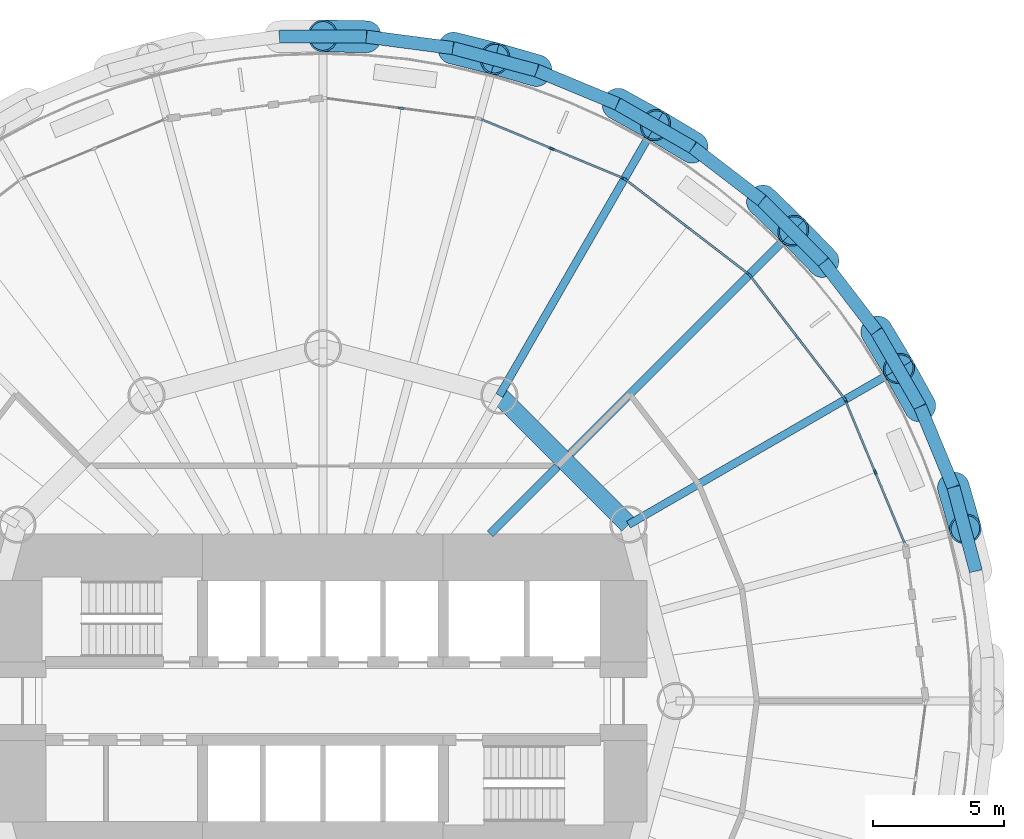
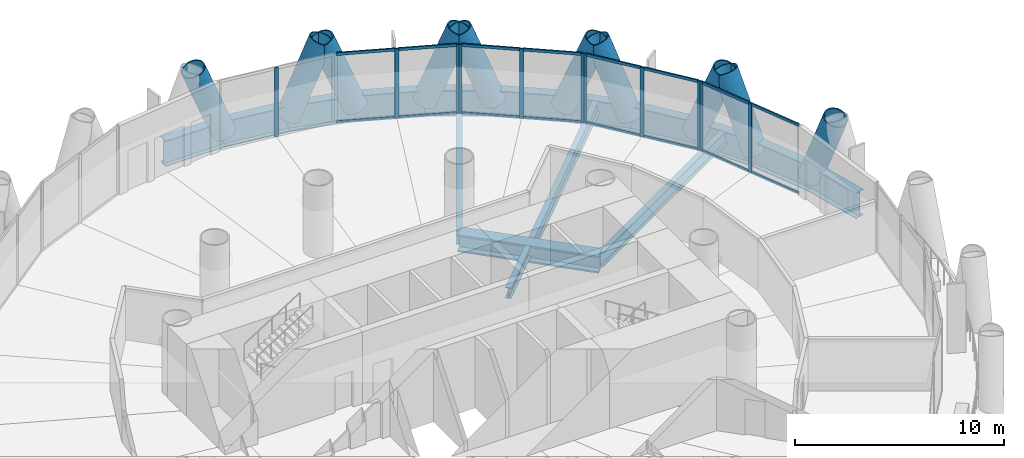
# One storey, part 7 of 16: 37 members, 16 beams, 5 elements without a shape of their own.
"""IFC4 building model written with IfcOpenShell, lengths in metres."""

from ifc_helpers import new_model, si_unit, direction, frame, origin, origin_2d, place, context, subcontext, project, spatial, rectangle, hollow_circle, i_section, extrude, material, material_profile, profile_set, type_object, element, aggregate, save


model = new_model("IFC4")

# Units and contexts
model_context = context("Model", 3, precision=1e-05, world=origin(), true_north=direction((0.0, 1.0)))
body_context = subcontext(model_context, "Body", "Model", "MODEL_VIEW")
ifc_project = project(units=[si_unit("LENGTHUNIT", "METRE"), si_unit("AREAUNIT", "SQUARE_METRE"), si_unit("VOLUMEUNIT", "CUBIC_METRE"), si_unit("PLANEANGLEUNIT", "RADIAN"), si_unit("MASSUNIT", "GRAM", prefix="KILO")], contexts=[model_context])

# Site, building, storey
site_placement = place(None, origin())
site = spatial("IfcSite", under=ifc_project, at=site_placement, CompositionType="ELEMENT")
building_placement = place(site_placement, origin())
building = spatial("IfcBuilding", under=site, at=building_placement, Name="Qaws Media Tower", CompositionType="ELEMENT")
storey_placement = place(building_placement, frame((0.0, 0.0, 89.0)))
storey = spatial("IfcBuildingStorey", under=building, at=storey_placement, Name="L19", CompositionType="ELEMENT", Elevation=89.0)

# Curtain wall, members
ifc_material_1 = material(Name="Aluminium and clear glass", Category="aluminium")
curtain_wall_type = type_object("IfcCurtainWallType", Name="Unitised curtain wall CW-A", PredefinedType="NOTDEFINED", material=ifc_material_1)
curtain_wall_1_placement = place(storey_placement, origin())
curtain_wall_1 = element("IfcCurtainWall", 1, at=curtain_wall_1_placement, inside=storey, type_object=curtain_wall_type, Name="CWA curtain wall L19-02", PredefinedType="NOTDEFINED")
ifc_material_2 = material(Name="Aluminium mullion", Category="aluminium")
ifc_material_profile_1 = material_profile(ifc_material_2, rectangle(XDim=0.080078125, YDim=0.199951171875, at=origin_2d()), Name="80x200")
ifc_profile_set_1 = profile_set([ifc_material_profile_1], Name="Aluminium mullion")
member_type_1 = type_object("IfcMemberType", Name="Curtain wall mullion 80x200", PredefinedType="MULLION", material=ifc_profile_set_1)
member_1_placement = place(storey_placement, frame((81.13623046875, 58.7548828125, 0.0), z_axis=(0.0, 0.0, 1.0), x_axis=(-0.923879558466, -0.382683369704, 0.0)))
member_1 = element("IfcMember", 2, at=member_1_placement, type_object=member_type_1, Name="CWA mullion 2", PredefinedType="MULLION", context=body_context, shape_type="SweptSolid", body=[
    extrude(rectangle(XDim=0.080078125, YDim=0.199951171875, at=origin_2d()), origin(), (0.0, 0.0, 1.0), 4.0400390625),
])
member_2_placement = place(storey_placement, frame((79.998779296875, 61.50048828125, 0.0), z_axis=(0.0, 0.0, 1.0), x_axis=(-0.923879558466, -0.382683369704, 0.0)))
member_2 = element("IfcMember", 3, at=member_2_placement, type_object=member_type_1, Name="CWA mullion 3", PredefinedType="MULLION", context=body_context, shape_type="SweptSolid", body=[
    extrude(rectangle(XDim=0.080078125, YDim=0.199951171875, at=origin_2d()), origin(), (0.0, 0.0, 1.0), 4.0400390625),
])

curtain_wall_2_placement = place(storey_placement, origin())
curtain_wall_2 = element("IfcCurtainWall", 4, at=curtain_wall_2_placement, inside=storey, type_object=curtain_wall_type, Name="CWA curtain wall L19-03", PredefinedType="NOTDEFINED")
member_3_placement = place(storey_placement, frame((79.959228515625, 61.5693359375, 0.0), z_axis=(0.0, 0.0, 1.0), x_axis=(-0.793353359129, -0.608761404459, 0.0)))
member_3 = element("IfcMember", 5, at=member_3_placement, type_object=member_type_1, Name="CWA mullion 1", PredefinedType="MULLION", context=body_context, shape_type="SweptSolid", body=[
    extrude(rectangle(XDim=0.080078125, YDim=0.199951171875, at=origin_2d()), origin(), (0.0, 0.0, 1.0), 4.0400390625),
])
member_4_placement = place(storey_placement, frame((78.14990234375, 63.927001953125, 0.0), z_axis=(0.0, 0.0, 1.0), x_axis=(-0.793353359129, -0.608761404459, 0.0)))
member_4 = element("IfcMember", 6, at=member_4_placement, type_object=member_type_1, Name="CWA mullion 2", PredefinedType="MULLION", context=body_context, shape_type="SweptSolid", body=[
    extrude(rectangle(XDim=0.080078125, YDim=0.199951171875, at=origin_2d()), origin(), (0.0, 0.0, 1.0), 4.0400390625),
])
member_5_placement = place(storey_placement, frame((76.3408203125, 66.28466796875, 0.0), z_axis=(0.0, 0.0, 1.0), x_axis=(-0.793353359129, -0.608761404459, 0.0)))
member_5 = element("IfcMember", 7, at=member_5_placement, type_object=member_type_1, Name="CWA mullion 3", PredefinedType="MULLION", context=body_context, shape_type="SweptSolid", body=[
    extrude(rectangle(XDim=0.080078125, YDim=0.199951171875, at=origin_2d()), origin(), (0.0, 0.0, 1.0), 4.0400390625),
])

curtain_wall_3_placement = place(storey_placement, origin())
curtain_wall_3 = element("IfcCurtainWall", 8, at=curtain_wall_3_placement, inside=storey, type_object=curtain_wall_type, Name="CWA curtain wall L19-04", PredefinedType="NOTDEFINED")
member_6_placement = place(storey_placement, frame((76.28466796875, 66.3408203125, 0.0), z_axis=(0.0, 0.0, 1.0), x_axis=(-0.608761404459, -0.793353359129, 0.0)))
member_6 = element("IfcMember", 9, at=member_6_placement, type_object=member_type_1, Name="CWA mullion 1", PredefinedType="MULLION", context=body_context, shape_type="SweptSolid", body=[
    extrude(rectangle(XDim=0.080078125, YDim=0.199951171875, at=origin_2d()), origin(), (0.0, 0.0, 1.0), 4.0400390625),
])
member_7_placement = place(storey_placement, frame((73.927001953125, 68.14990234375, 0.0), z_axis=(0.0, 0.0, 1.0), x_axis=(-0.608761404459, -0.793353359129, 0.0)))
member_7 = element("IfcMember", 10, at=member_7_placement, type_object=member_type_1, Name="CWA mullion 2", PredefinedType="MULLION", context=body_context, shape_type="SweptSolid", body=[
    extrude(rectangle(XDim=0.080078125, YDim=0.199951171875, at=origin_2d()), origin(), (0.0, 0.0, 1.0), 4.0400390625),
])
member_8_placement = place(storey_placement, frame((71.5693359375, 69.959228515625, 0.0), z_axis=(0.0, 0.0, 1.0), x_axis=(-0.608761404459, -0.793353359129, 0.0)))
member_8 = element("IfcMember", 11, at=member_8_placement, type_object=member_type_1, Name="CWA mullion 3", PredefinedType="MULLION", context=body_context, shape_type="SweptSolid", body=[
    extrude(rectangle(XDim=0.080078125, YDim=0.199951171875, at=origin_2d()), origin(), (0.0, 0.0, 1.0), 4.0400390625),
])

curtain_wall_4_placement = place(storey_placement, origin())
curtain_wall_4 = element("IfcCurtainWall", 12, at=curtain_wall_4_placement, inside=storey, type_object=curtain_wall_type, Name="CWA curtain wall L19-05", PredefinedType="NOTDEFINED")
member_9_placement = place(storey_placement, frame((71.50048828125, 69.998779296875, 0.0), z_axis=(0.0, 0.0, 1.0), x_axis=(-0.382683369704, -0.923879558466, 0.0)))
member_9 = element("IfcMember", 13, at=member_9_placement, type_object=member_type_1, Name="CWA mullion 1", PredefinedType="MULLION", context=body_context, shape_type="SweptSolid", body=[
    extrude(rectangle(XDim=0.080078125, YDim=0.199951171875, at=origin_2d()), origin(), (0.0, 0.0, 1.0), 4.0400390625),
])
member_10_placement = place(storey_placement, frame((68.7548828125, 71.13623046875, 0.0), z_axis=(0.0, 0.0, 1.0), x_axis=(-0.382683369704, -0.923879558466, 0.0)))
member_10 = element("IfcMember", 14, at=member_10_placement, type_object=member_type_1, Name="CWA mullion 2", PredefinedType="MULLION", context=body_context, shape_type="SweptSolid", body=[
    extrude(rectangle(XDim=0.080078125, YDim=0.199951171875, at=origin_2d()), origin(), (0.0, 0.0, 1.0), 4.0400390625),
])

# Curtain wall, member
curtain_wall_5_placement = place(storey_placement, origin())
curtain_wall_5 = element("IfcCurtainWall", 15, at=curtain_wall_5_placement, inside=storey, type_object=curtain_wall_type, Name="CWA curtain wall L19-06", PredefinedType="NOTDEFINED")
member_11_placement = place(storey_placement, frame((62.986083984375, 72.681884765625, 0.0), z_axis=(0.0, 0.0, 1.0), x_axis=(-0.130526274293, -0.991444850569, 0.0)))
member_11 = element("IfcMember", 16, at=member_11_placement, type_object=member_type_1, Name="CWA mullion 2", PredefinedType="MULLION", context=body_context, shape_type="SweptSolid", body=[
    extrude(rectangle(XDim=0.080078125, YDim=0.199951171875, at=origin_2d()), origin(), (0.0, 0.0, 1.0), 4.0400390625),
])
aggregate(curtain_wall_5, [member_11])

# Member
ifc_material_3 = material(Name="Aluminium transom", Category="aluminium")
ifc_material_profile_2 = material_profile(ifc_material_3, rectangle(XDim=0.080078125, YDim=0.159912109375, at=origin_2d()), Name="80x160")
ifc_profile_set_2 = profile_set([ifc_material_profile_2], Name="Aluminium transom")
member_type_2 = type_object("IfcMemberType", Name="Curtain wall transom 80x160", PredefinedType="USERDEFINED", material=ifc_profile_set_2)
member_12_placement = place(storey_placement, frame((82.258056640625, 56.046142578125, 0.0400390625), z_axis=(-0.382672391391, 0.923884105755, 0.0), x_axis=(-0.923884105755, -0.382672391391, 0.0)))
member_12 = element("IfcMember", 17, at=member_12_placement, type_object=member_type_2, Name="CWA transom 1.1", ObjectType="TRANSOM", PredefinedType="USERDEFINED", context=body_context, shape_type="SweptSolid", body=[
    extrude(rectangle(XDim=0.080078125, YDim=0.159912109375, at=origin_2d()), origin(), (0.0, 0.0, 1.0), 2.89208984375),
])

member_13_placement = place(storey_placement, frame((82.258056640625, 56.046142578125, 4.0), z_axis=(-0.382672391391, 0.923884105755, 0.0), x_axis=(-0.923884105755, -0.382672391391, 0.0)))
member_13 = element("IfcMember", 18, at=member_13_placement, type_object=member_type_2, Name="CWA transom 1.2", ObjectType="TRANSOM", PredefinedType="USERDEFINED", context=body_context, shape_type="SweptSolid", body=[
    extrude(rectangle(XDim=0.080078125, YDim=0.159912109375, at=origin_2d()), origin(), (0.0, 0.0, 1.0), 2.89208984375),
])

member_14_placement = place(storey_placement, frame((81.120849609375, 58.791748046875, 0.0400390625), z_axis=(-0.382672391391, 0.923884105755, 0.0), x_axis=(-0.923884105755, -0.382672391391, 0.0)))
member_14 = element("IfcMember", 19, at=member_14_placement, type_object=member_type_2, Name="CWA transom 2.1", ObjectType="TRANSOM", PredefinedType="USERDEFINED", context=body_context, shape_type="SweptSolid", body=[
    extrude(rectangle(XDim=0.080078125, YDim=0.159912109375, at=origin_2d()), origin(), (0.0, 0.0, 1.0), 2.89208984375),
])

member_15_placement = place(storey_placement, frame((81.120849609375, 58.791748046875, 4.0), z_axis=(-0.382672391391, 0.923884105755, 0.0), x_axis=(-0.923884105755, -0.382672391391, 0.0)))
member_15 = element("IfcMember", 20, at=member_15_placement, type_object=member_type_2, Name="CWA transom 2.2", ObjectType="TRANSOM", PredefinedType="USERDEFINED", context=body_context, shape_type="SweptSolid", body=[
    extrude(rectangle(XDim=0.080078125, YDim=0.159912109375, at=origin_2d()), origin(), (0.0, 0.0, 1.0), 2.89208984375),
])

aggregate(curtain_wall_1, [member_1, member_2, member_12, member_13, member_14, member_15])

member_16_placement = place(storey_placement, frame((79.934814453125, 61.60107421875, 0.0400390625), z_axis=(-0.608784187232, 0.793335876774, 0.0), x_axis=(-0.793335876774, -0.608784187232, 0.0)))
member_16 = element("IfcMember", 21, at=member_16_placement, type_object=member_type_2, Name="CWA transom 1.1", ObjectType="TRANSOM", PredefinedType="USERDEFINED", context=body_context, shape_type="SweptSolid", body=[
    extrude(rectangle(XDim=0.080078125, YDim=0.159912109375, at=origin_2d()), origin(), (0.0, 0.0, 1.0), 2.891845703125),
])

member_17_placement = place(storey_placement, frame((79.934814453125, 61.60107421875, 4.0), z_axis=(-0.608784187232, 0.793335876774, 0.0), x_axis=(-0.793335876774, -0.608784187232, 0.0)))
member_17 = element("IfcMember", 22, at=member_17_placement, type_object=member_type_2, Name="CWA transom 1.2", ObjectType="TRANSOM", PredefinedType="USERDEFINED", context=body_context, shape_type="SweptSolid", body=[
    extrude(rectangle(XDim=0.080078125, YDim=0.159912109375, at=origin_2d()), origin(), (0.0, 0.0, 1.0), 2.891845703125),
])

member_18_placement = place(storey_placement, frame((78.125732421875, 63.958740234375, 0.0400390625), z_axis=(-0.608784187232, 0.793335876774, 0.0), x_axis=(-0.793335876774, -0.608784187232, 0.0)))
member_18 = element("IfcMember", 23, at=member_18_placement, type_object=member_type_2, Name="CWA transom 2.1", ObjectType="TRANSOM", PredefinedType="USERDEFINED", context=body_context, shape_type="SweptSolid", body=[
    extrude(rectangle(XDim=0.080078125, YDim=0.159912109375, at=origin_2d()), origin(), (0.0, 0.0, 1.0), 2.891845703125),
])

member_19_placement = place(storey_placement, frame((78.125732421875, 63.958740234375, 4.0), z_axis=(-0.608784187232, 0.793335876774, 0.0), x_axis=(-0.793335876774, -0.608784187232, 0.0)))
member_19 = element("IfcMember", 24, at=member_19_placement, type_object=member_type_2, Name="CWA transom 2.2", ObjectType="TRANSOM", PredefinedType="USERDEFINED", context=body_context, shape_type="SweptSolid", body=[
    extrude(rectangle(XDim=0.080078125, YDim=0.159912109375, at=origin_2d()), origin(), (0.0, 0.0, 1.0), 2.891845703125),
])

aggregate(curtain_wall_2, [member_3, member_4, member_5, member_16, member_17, member_18, member_19])

member_20_placement = place(storey_placement, frame((76.2529296875, 66.365234375, 0.0400390625), z_axis=(-0.793335876774, 0.608784187232, 0.0), x_axis=(-0.608784187232, -0.793335876774, 0.0)))
member_20 = element("IfcMember", 25, at=member_20_placement, type_object=member_type_2, Name="CWA transom 1.1", ObjectType="TRANSOM", PredefinedType="USERDEFINED", context=body_context, shape_type="SweptSolid", body=[
    extrude(rectangle(XDim=0.080078125, YDim=0.159912109375, at=origin_2d()), origin(), (0.0, 0.0, 1.0), 2.891845703125),
])

member_21_placement = place(storey_placement, frame((76.2529296875, 66.365234375, 4.0), z_axis=(-0.793335876774, 0.608784187232, 0.0), x_axis=(-0.608784187232, -0.793335876774, 0.0)))
member_21 = element("IfcMember", 26, at=member_21_placement, type_object=member_type_2, Name="CWA transom 1.2", ObjectType="TRANSOM", PredefinedType="USERDEFINED", context=body_context, shape_type="SweptSolid", body=[
    extrude(rectangle(XDim=0.080078125, YDim=0.159912109375, at=origin_2d()), origin(), (0.0, 0.0, 1.0), 2.891845703125),
])

member_22_placement = place(storey_placement, frame((73.895263671875, 68.17431640625, 0.0400390625), z_axis=(-0.793335876774, 0.608784187232, 0.0), x_axis=(-0.608784187232, -0.793335876774, 0.0)))
member_22 = element("IfcMember", 27, at=member_22_placement, type_object=member_type_2, Name="CWA transom 2.1", ObjectType="TRANSOM", PredefinedType="USERDEFINED", context=body_context, shape_type="SweptSolid", body=[
    extrude(rectangle(XDim=0.080078125, YDim=0.159912109375, at=origin_2d()), origin(), (0.0, 0.0, 1.0), 2.891845703125),
])

member_23_placement = place(storey_placement, frame((73.895263671875, 68.17431640625, 4.0), z_axis=(-0.793335876774, 0.608784187232, 0.0), x_axis=(-0.608784187232, -0.793335876774, 0.0)))
member_23 = element("IfcMember", 28, at=member_23_placement, type_object=member_type_2, Name="CWA transom 2.2", ObjectType="TRANSOM", PredefinedType="USERDEFINED", context=body_context, shape_type="SweptSolid", body=[
    extrude(rectangle(XDim=0.080078125, YDim=0.159912109375, at=origin_2d()), origin(), (0.0, 0.0, 1.0), 2.891845703125),
])

aggregate(curtain_wall_3, [member_6, member_7, member_8, member_20, member_21, member_22, member_23])

member_24_placement = place(storey_placement, frame((71.463623046875, 70.01416015625, 0.0400390625), z_axis=(-0.923884105755, 0.382672391391, 0.0), x_axis=(-0.382672391391, -0.923884105755, 0.0)))
member_24 = element("IfcMember", 29, at=member_24_placement, type_object=member_type_2, Name="CWA transom 1.1", ObjectType="TRANSOM", PredefinedType="USERDEFINED", context=body_context, shape_type="SweptSolid", body=[
    extrude(rectangle(XDim=0.080078125, YDim=0.159912109375, at=origin_2d()), origin(), (0.0, 0.0, 1.0), 2.89208984375),
])

member_25_placement = place(storey_placement, frame((71.463623046875, 70.01416015625, 4.0), z_axis=(-0.923884105755, 0.382672391391, 0.0), x_axis=(-0.382672391391, -0.923884105755, 0.0)))
member_25 = element("IfcMember", 30, at=member_25_placement, type_object=member_type_2, Name="CWA transom 1.2", ObjectType="TRANSOM", PredefinedType="USERDEFINED", context=body_context, shape_type="SweptSolid", body=[
    extrude(rectangle(XDim=0.080078125, YDim=0.159912109375, at=origin_2d()), origin(), (0.0, 0.0, 1.0), 2.89208984375),
])

member_26_placement = place(storey_placement, frame((68.718017578125, 71.1513671875, 0.0400390625), z_axis=(-0.923884105755, 0.382672391391, 0.0), x_axis=(-0.382672391391, -0.923884105755, 0.0)))
member_26 = element("IfcMember", 31, at=member_26_placement, type_object=member_type_2, Name="CWA transom 2.1", ObjectType="TRANSOM", PredefinedType="USERDEFINED", context=body_context, shape_type="SweptSolid", body=[
    extrude(rectangle(XDim=0.080078125, YDim=0.159912109375, at=origin_2d()), origin(), (0.0, 0.0, 1.0), 2.89208984375),
])

member_27_placement = place(storey_placement, frame((68.718017578125, 71.1513671875, 4.0), z_axis=(-0.923884105755, 0.382672391391, 0.0), x_axis=(-0.382672391391, -0.923884105755, 0.0)))
member_27 = element("IfcMember", 32, at=member_27_placement, type_object=member_type_2, Name="CWA transom 2.2", ObjectType="TRANSOM", PredefinedType="USERDEFINED", context=body_context, shape_type="SweptSolid", body=[
    extrude(rectangle(XDim=0.080078125, YDim=0.159912109375, at=origin_2d()), origin(), (0.0, 0.0, 1.0), 2.89208984375),
])

aggregate(curtain_wall_4, [member_9, member_10, member_24, member_25, member_26, member_27])

# Members
ifc_material_4 = material(Name="Steel S460", Category="steel")
ifc_material_profile_3 = material_profile(ifc_material_4, hollow_circle(Radius=0.609619140625, WallThickness=0.06005859375, at=origin_2d()), Name="CHS 1219x60")
ifc_profile_set_3 = profile_set([ifc_material_profile_3], Name="Steel S460")
member_type_3 = type_object("IfcMemberType", Name="Diagrid member CHS 1219x60", PredefinedType="USERDEFINED", material=ifc_profile_set_3)
for number, where, z_axis, x_axis, name in (
    (33, (82.847900390625, 61.267333984375, -0.909912109375), (-0.178735386031, 0.322620613661, 0.929499651114), (-0.874730213858, -0.484610207242, 0.0), "DG1 diagrid L19 A02"),
    (34, (84.123046875, 58.188720703125, -0.909912109375), (0.101741339373, -0.354500758165, 0.929504121736), (0.961197096525, 0.275862541191, 0.0), "DG1 diagrid L19 B02"),
    (35, (79.153076171875, 66.796875, -0.909912109375), (-0.256111948057, 0.265351429728, 0.929513468866), (-0.719522626734, -0.694468998313, 0.0), "DG1 diagrid L19 A03"),
):
    element("IfcMember", number, at=place(storey_placement, frame(where, z_axis=z_axis, x_axis=x_axis)), inside=storey, type_object=member_type_3, Name=name, ObjectType="DIAGRID", PredefinedType="USERDEFINED", context=body_context, shape_type="SweptSolid", body=[
        extrude(hollow_circle(Radius=0.609619140625, WallThickness=0.06005859375, at=origin_2d()), origin(), (0.0, 0.0, 1.0), 4.5185546875),
    ])
for number, where, z_axis, x_axis, name in (
    (36, (81.181640625, 64.153076171875, -0.909912109375), (0.190032249438, -0.316036004254, 0.929520837953), (0.857001258538, 0.515314314631, 0.0), "DG1 diagrid L19 B03"),
    (37, (74.153076171875, 71.181640625, -0.909912109375), (-0.316036004254, 0.190032249438, 0.929520837953), (-0.515314314631, -0.857001258538, 0.0), "DG1 diagrid L19 A04"),
):
    element("IfcMember", number, at=place(storey_placement, frame(where, z_axis=z_axis, x_axis=x_axis)), inside=storey, type_object=member_type_3, Name=name, ObjectType="DIAGRID", PredefinedType="USERDEFINED", context=body_context, shape_type="SweptSolid", body=[
        extrude(hollow_circle(Radius=0.609619140625, WallThickness=0.06005859375, at=origin_2d()), origin(), (0.0, 0.0, 1.0), 4.518310546875),
    ])
for number, where, z_axis, x_axis, name in (
    (38, (76.796875, 69.153076171875, -0.909912109375), (0.265351429728, -0.256111948057, 0.929513468866), (0.694468998313, 0.719522626734, 0.0), "DG1 diagrid L19 B04"),
    (39, (68.188720703125, 74.123046875, -0.909912109375), (-0.354500758165, 0.101741339373, 0.929504121736), (-0.275862541191, -0.961197096525, 0.0), "DG1 diagrid L19 A05"),
    (40, (71.267333984375, 72.847900390625, -0.909912109375), (0.322620613661, -0.178735386031, 0.929499651114), (0.484610207242, 0.874730213858, 0.0), "DG1 diagrid L19 B05"),
    (41, (61.666259765625, 75.42041015625, -0.909912109375), (-0.368763540313, 0.006537785843, 0.929500246741), (-0.017726152148, -0.999842879422, 0.0), "DG1 diagrid L19 A06"),
    (42, (64.969970703125, 74.985595703125, -0.909912109375), (0.357853731759, -0.089152749117, 0.929511965491), (0.241742662575, 0.970340396506, 0.0), "DG1 diagrid L19 B06"),
):
    element("IfcMember", number, at=place(storey_placement, frame(where, z_axis=z_axis, x_axis=x_axis)), inside=storey, type_object=member_type_3, Name=name, ObjectType="DIAGRID", PredefinedType="USERDEFINED", context=body_context, shape_type="SweptSolid", body=[
        extrude(hollow_circle(Radius=0.609619140625, WallThickness=0.06005859375, at=origin_2d()), origin(), (0.0, 0.0, 1.0), 4.5185546875),
    ])

# Beams
ifc_material_5 = material(Name="Steel S460", Category="steel")
ifc_material_profile_4 = material_profile(ifc_material_5, i_section(OverallWidth=0.5, OverallDepth=1.5, WebThickness=0.02001953125, FlangeThickness=0.0400390625, at=origin_2d()), Name="PG 1500x500")
ifc_profile_set_4 = profile_set([ifc_material_profile_4], Name="Steel S460")
beam_type_1 = type_object("IfcBeamType", Name="Edge ring beam PG 1500x500", PredefinedType="BEAM", material=ifc_profile_set_4)
for number, where, z_axis, x_axis, name in (
    (43, (84.985595703125, 54.969970703125, -0.909912109375), (-0.258843506265, 0.965919271608, 0.0), (-0.965919271608, -0.258843506265, 0.0), "RB4 edge ring beam L19-02"),
    (44, (84.123046875, 58.188720703125, -0.909912109375), (-0.38266885996, 0.923885568465, 0.0), (-0.923885568465, -0.38266885996, 0.0), "RB4 edge ring beam L19-03"),
    (45, (82.847900390625, 61.267333984375, -0.909912109375), (-0.500039553057, 0.866002566612, 0.0), (-0.866002566612, -0.500039553057, 0.0), "RB4 edge ring beam L19-04"),
    (46, (81.181640625, 64.153076171875, -0.909912109375), (-0.608743723817, 0.793366925649, 0.0), (-0.793366925649, -0.608743723817, 0.0), "RB4 edge ring beam L19-05"),
    (47, (79.153076171875, 66.796875, -0.909912109375), (-0.707106781187, 0.707106781187, 0.0), (-0.707106781187, -0.707106781187, 0.0), "RB4 edge ring beam L19-06"),
    (48, (76.796875, 69.153076171875, -0.909912109375), (-0.793366925649, 0.608743723817, 0.0), (-0.608743723817, -0.793366925649, 0.0), "RB4 edge ring beam L19-07"),
    (49, (74.153076171875, 71.181640625, -0.909912109375), (-0.866002566612, 0.500039553057, 0.0), (-0.500039553057, -0.866002566612, 0.0), "RB4 edge ring beam L19-08"),
    (50, (71.267333984375, 72.847900390625, -0.909912109375), (-0.923885568465, 0.38266885996, 0.0), (-0.38266885996, -0.923885568465, 0.0), "RB4 edge ring beam L19-09"),
    (51, (68.188720703125, 74.123046875, -0.909912109375), (-0.965919271608, 0.258843506265, 0.0), (-0.258843506265, -0.965919271608, 0.0), "RB4 edge ring beam L19-10"),
    (52, (64.969970703125, 74.985595703125, -0.909912109375), (-0.991449806164, 0.130488627311, 0.0), (-0.130488627311, -0.991449806164, 0.0), "RB4 edge ring beam L19-11"),
):
    element("IfcBeam", number, at=place(storey_placement, frame(where, z_axis=z_axis, x_axis=x_axis)), inside=storey, type_object=beam_type_1, Name=name, PredefinedType="BEAM", context=body_context, shape_type="SweptSolid", body=[
        extrude(i_section(OverallWidth=0.5, OverallDepth=1.5, WebThickness=0.02001953125, FlangeThickness=0.0400390625, at=origin_2d()), origin(), (0.0, 0.0, 1.0), 3.332275390625),
    ])
beam_1_placement = place(storey_placement, frame((61.666259765625, 75.42041015625, -0.909912109375), z_axis=(-1.0, 0.0, 0.0), x_axis=(0.0, -1.0, 0.0)))
element("IfcBeam", 53, at=beam_1_placement, inside=storey, type_object=beam_type_1, Name="RB4 edge ring beam L19-12", PredefinedType="BEAM", context=body_context, shape_type="SweptSolid", body=[
    extrude(i_section(OverallWidth=0.5, OverallDepth=1.5, WebThickness=0.02001953125, FlangeThickness=0.0400390625, at=origin_2d()), origin(), (0.0, 0.0, 1.0), 3.33251953125),
])
ifc_material_6 = material(Name="Steel S460", Category="steel")
ifc_material_profile_5 = material_profile(ifc_material_6, i_section(OverallWidth=0.699951171875, OverallDepth=1.0, WebThickness=0.034912109375, FlangeThickness=0.090087890625, at=origin_2d()), Name="PG 1000x700")
ifc_profile_set_5 = profile_set([ifc_material_profile_5], Name="Steel S460")
beam_type_2 = type_object("IfcBeamType", Name="Inner ring girder PG 1000x700", PredefinedType="BEAM", material=ifc_profile_set_5)
beam_2_placement = place(storey_placement, frame((71.69140625, 56.75, -0.659912109375), z_axis=(-0.707106781187, 0.707106781187, 0.0), x_axis=(-0.707106781187, -0.707106781187, 0.0)))
element("IfcBeam", 54, at=beam_2_placement, inside=storey, type_object=beam_type_2, Name="B3 inner ring beam L19 I02-I03", PredefinedType="BEAM", context=body_context, shape_type="SweptSolid", body=[
    extrude(i_section(OverallWidth=0.699951171875, OverallDepth=1.0, WebThickness=0.034912109375, FlangeThickness=0.090087890625, at=origin_2d()), origin(), (0.0, 0.0, 1.0), 6.98828125),
])
ifc_material_7 = material(Name="Steel S355", Category="steel")
ifc_material_profile_6 = material_profile(ifc_material_7, i_section(OverallWidth=0.304931640625, OverallDepth=0.6201171875, WebThickness=0.02099609375, FlangeThickness=0.0400390625, FilletRadius=0.027099609375, at=origin_2d()), Name="HE 600 M")
ifc_profile_set_6 = profile_set([ifc_material_profile_6], Name="Steel S355")
beam_type_3 = type_object("IfcBeamType", Name="Radial beam HE 600 M, core side", PredefinedType="BEAM", material=ifc_profile_set_6)
beam_3_placement = place(storey_placement, frame((66.39990234375, 56.39990234375, -0.469970703125), z_axis=(0.707106781187, 0.707106781187, 0.0), x_axis=(-0.707106781187, 0.707106781187, 0.0)))
element("IfcBeam", 55, at=beam_3_placement, inside=storey, type_object=beam_type_3, Name="B2 radial beam L19 04", PredefinedType="BEAM", context=body_context, shape_type="SweptSolid", body=[
    extrude(i_section(OverallWidth=0.304931640625, OverallDepth=0.6201171875, WebThickness=0.02099609375, FlangeThickness=0.0400390625, FilletRadius=0.027099609375, at=origin_2d()), origin(), (0.0, 0.0, 1.0), 3.63916015625),
])
ifc_material_8 = material(Name="Steel S355", Category="steel")
ifc_material_profile_7 = material_profile(ifc_material_8, i_section(OverallWidth=0.300048828125, OverallDepth=0.800048828125, WebThickness=0.017578125, FlangeThickness=0.032958984375, FilletRadius=0.030029296875, at=origin_2d()), Name="HE 800 B")
ifc_profile_set_7 = profile_set([ifc_material_profile_7], Name="Steel S355")
beam_type_4 = type_object("IfcBeamType", Name="Radial beam HE 800 B", PredefinedType="BEAM", material=ifc_profile_set_7)
beam_4_placement = place(storey_placement, frame((71.69140625, 56.75, -0.56005859375), z_axis=(0.866022555029, 0.500004934157, 0.0), x_axis=(-0.500004934157, 0.866022555029, 0.0)))
element("IfcBeam", 56, at=beam_4_placement, inside=storey, type_object=beam_type_4, Name="B1 radial beam L19 03", PredefinedType="BEAM", context=body_context, shape_type="SweptSolid", body=[
    extrude(i_section(OverallWidth=0.300048828125, OverallDepth=0.800048828125, WebThickness=0.017578125, FlangeThickness=0.032958984375, FilletRadius=0.030029296875, at=origin_2d()), origin(), (0.0, 0.0, 1.0), 11.92041015625),
])
beam_5_placement = place(storey_placement, frame((69.46826171875, 59.46826171875, -0.56005859375), z_axis=(0.707106781187, 0.707106781187, 0.0), x_axis=(-0.707106781187, 0.707106781187, 0.0)))
element("IfcBeam", 57, at=beam_5_placement, inside=storey, type_object=beam_type_4, Name="B1 radial beam L19 04", PredefinedType="BEAM", context=body_context, shape_type="SweptSolid", body=[
    extrude(i_section(OverallWidth=0.300048828125, OverallDepth=0.800048828125, WebThickness=0.017578125, FlangeThickness=0.032958984375, FilletRadius=0.030029296875, at=origin_2d()), origin(), (0.0, 0.0, 1.0), 12.030517578125),
])
beam_6_placement = place(storey_placement, frame((66.75, 61.69140625, -0.56005859375), z_axis=(0.500004934157, 0.866022555029, 0.0), x_axis=(-0.866022555029, 0.500004934157, 0.0)))
element("IfcBeam", 58, at=beam_6_placement, inside=storey, type_object=beam_type_4, Name="B1 radial beam L19 05", PredefinedType="BEAM", context=body_context, shape_type="SweptSolid", body=[
    extrude(i_section(OverallWidth=0.300048828125, OverallDepth=0.800048828125, WebThickness=0.017578125, FlangeThickness=0.032958984375, FilletRadius=0.030029296875, at=origin_2d()), origin(), (0.0, 0.0, 1.0), 11.92041015625),
])

save(model, "model.ifc")
